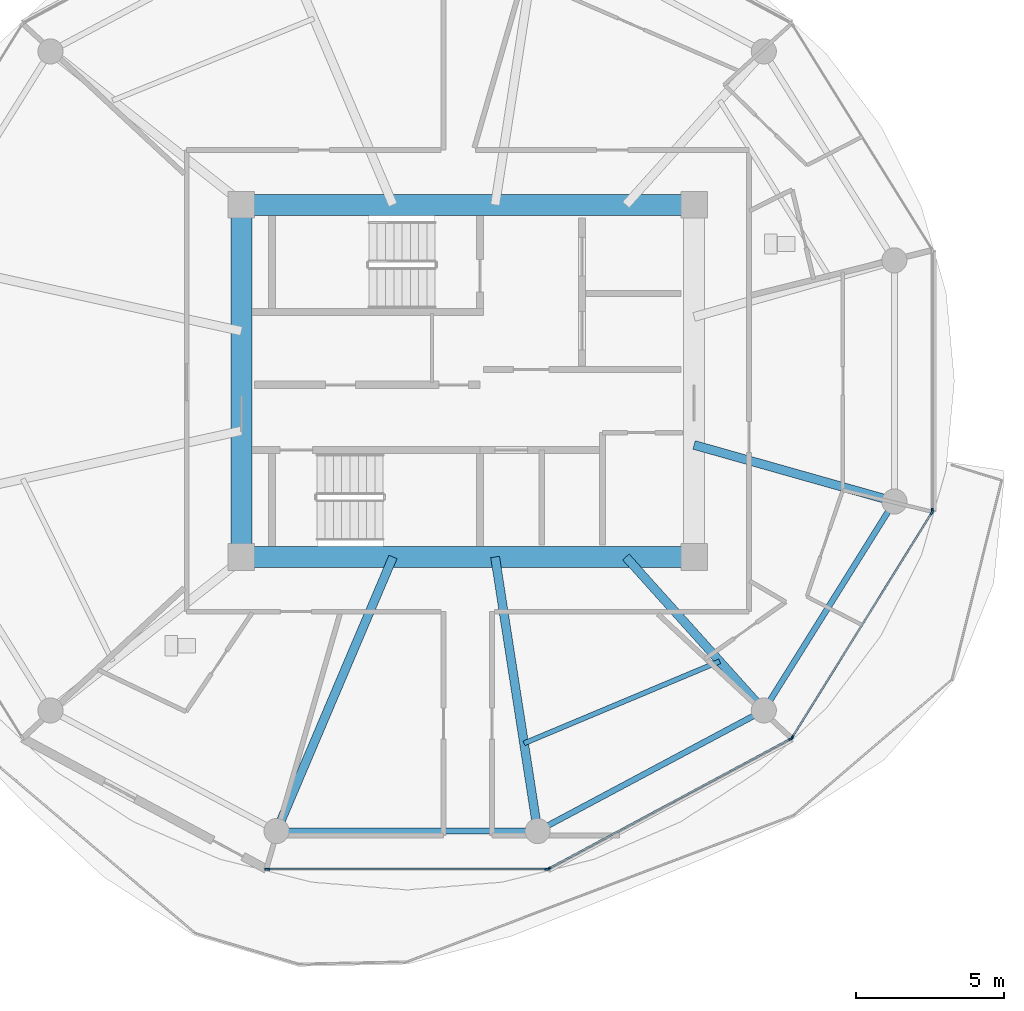
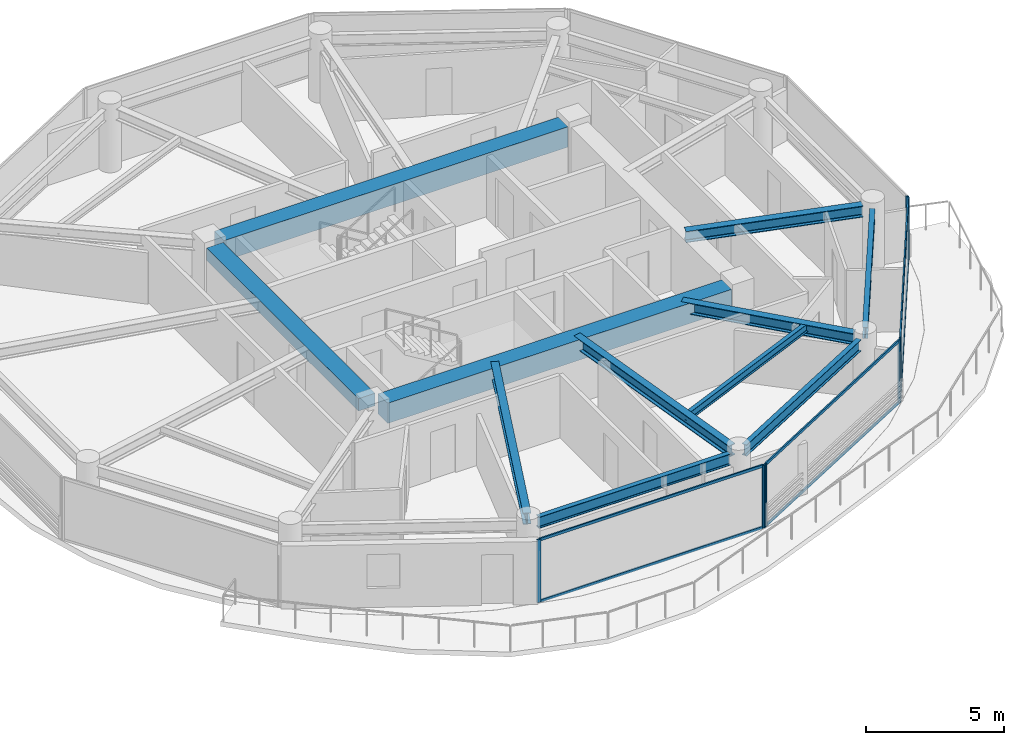
# One storey, part 10 of 25: 13 members, 11 beams, 4 elements without a shape of their own.
"""IFC4 building model written with IfcOpenShell, lengths in metres."""

import ifcopenshell
import ifcopenshell.guid

model = None  # the IFC model being written
_history = None  # IfcOwnerHistory: only IFC2X3 demands one
_inside = {}  # id of a spatial element -> (the spatial element, [elements in it])
_under = {}  # id of a project, library or spatial element -> (it, [spatial elements below it])
_declared = {}  # id of a project -> (the project, [libraries it declares])
_typed = {}  # id of a type object -> (the type object, [elements of that type])
_made_of = {}  # id of a material, layer set ... -> (it, [elements and type objects made of it])


def new_model(schema):
    """Start an empty IFC model of exactly this schema.

    Asked for "IFC4X3", IfcOpenShell would pick the latest addendum, in which some entities
    have other attributes; the version numbers below select the first issue.
    IFC2X3 requires an IfcOwnerHistory on every rooted entity: one is made here for all.
    """
    global model, _history
    if schema == "IFC4X3":
        model = ifcopenshell.file(schema_version=(4, 3, 0, 0))
    else:
        model = ifcopenshell.file(schema=schema)
    _inside.clear()
    _under.clear()
    _declared.clear()
    _typed.clear()
    _made_of.clear()
    _history = None
    if model.schema == "IFC2X3":
        org = make("IfcOrganization", Name="unknown")
        user = make(
            "IfcPersonAndOrganization",
            ThePerson=make("IfcPerson", FamilyName="unknown"),
            TheOrganization=org,
        )
        app = make(
            "IfcApplication",
            ApplicationDeveloper=org,
            Version="unknown",
            ApplicationFullName="unknown",
            ApplicationIdentifier="unknown",
        )
        _history = make(
            "IfcOwnerHistory",
            OwningUser=user,
            OwningApplication=app,
            ChangeAction="ADDED",
            CreationDate=0,
        )
    return model


def make(cls, **values):
    """One entity of the class cls with the attributes given. An attribute that is None is left unset."""
    return model.create_entity(
        cls, **{name: value for name, value in values.items() if value is not None}
    )


def rooted(cls, **values):
    """An entity with a GlobalId (a new one), such as an element, a storey or a relation."""
    return make(cls, GlobalId=ifcopenshell.guid.new(), OwnerHistory=_history, **values)


def si_unit(unit_type, name, prefix=None):
    """IfcSIUnit, for example si_unit("LENGTHUNIT", "METRE", prefix="MILLI")."""
    return make("IfcSIUnit", UnitType=unit_type, Prefix=prefix, Name=name)


def assignment(units):
    """IfcUnitAssignment: the units of a project."""
    return None if units is None else make("IfcUnitAssignment", Units=units)


def point(xyz):
    """IfcCartesianPoint."""
    return None if xyz is None else make("IfcCartesianPoint", Coordinates=xyz)


def direction(xyz):
    """IfcDirection."""
    return None if xyz is None else make("IfcDirection", DirectionRatios=xyz)


def frame(location, z_axis=None, x_axis=None):
    """IfcAxis2Placement3D, a coordinate frame: its origin and axes. An axis left out is left unset."""
    return make(
        "IfcAxis2Placement3D",
        Location=point(location),
        Axis=direction(z_axis),
        RefDirection=direction(x_axis),
    )


def frame_2d(location, x_axis=None):
    """IfcAxis2Placement2D, a coordinate frame in the plane: its origin and x axis."""
    return make(
        "IfcAxis2Placement2D", Location=point(location), RefDirection=direction(x_axis)
    )


def origin():
    """The frame at (0, 0, 0) with its axes left unset."""
    return frame((0.0, 0.0, 0.0))


def origin_2d():
    """The frame at (0, 0) in the plane with its x axis left unset."""
    return frame_2d((0.0, 0.0))


def place(relative_to, where):
    """IfcLocalPlacement: puts the frame where relative to a parent placement (None: the world)."""
    return make(
        "IfcLocalPlacement", PlacementRelTo=relative_to, RelativePlacement=where
    )


def context(
    kind, dimensions, precision=None, world=None, true_north=None, identifier=None
):
    """IfcGeometricRepresentationContext, for example the 3D "Model" context."""
    return make(
        "IfcGeometricRepresentationContext",
        ContextIdentifier=identifier,
        ContextType=kind,
        CoordinateSpaceDimension=dimensions,
        Precision=precision,
        WorldCoordinateSystem=world,
        TrueNorth=true_north,
    )


def subcontext(parent, identifier, kind, view, scale=None):
    """IfcGeometricRepresentationSubContext, for example "Body" below "Model"."""
    return make(
        "IfcGeometricRepresentationSubContext",
        ContextIdentifier=identifier,
        ContextType=kind,
        ParentContext=parent,
        TargetScale=scale,
        TargetView=view,
    )


def project(units=None, contexts=None):
    """IfcProject with its units and contexts."""
    return rooted(
        "IfcProject",
        Name="project",
        RepresentationContexts=contexts,
        UnitsInContext=assignment(units),
    )


def spatial(cls, under=None, at=None, **own):
    """A site, building, storey or space (cls), placed at a placement, below another one or the project."""
    s = rooted(cls, ObjectPlacement=at, **own)
    if under is not None:
        _under.setdefault(under.id(), (under, []))[1].append(s)
    return s


def profile(cls, at=None, kind="AREA", **sizes):
    """A parametric profile (cls). Its sizes go by their IFC names, for example OverallWidth=200.0."""
    return make(cls, ProfileType=kind, Position=at, **sizes)


def rectangle(**sizes):
    """IfcRectangleProfileDef."""
    return profile("IfcRectangleProfileDef", **sizes)


def i_section(**sizes):
    """IfcIShapeProfileDef."""
    return profile("IfcIShapeProfileDef", **sizes)


def extrude(swept, where, along, depth):
    """IfcExtrudedAreaSolid: the profile swept, set in the frame where, extruded along a direction by depth."""
    return make(
        "IfcExtrudedAreaSolid",
        SweptArea=swept,
        Position=where,
        ExtrudedDirection=direction(along),
        Depth=depth,
    )


def shape(context_of_items, identifier, shape_type, items):
    """IfcShapeRepresentation: the items that make up one representation, for example the "Body"."""
    return make(
        "IfcShapeRepresentation",
        ContextOfItems=context_of_items,
        RepresentationIdentifier=identifier,
        RepresentationType=shape_type,
        Items=items,
    )


def source(mapping_origin, context_of_items, identifier, shape_type, items):
    """IfcRepresentationMap: a shape defined once, which mapped items show again and again."""
    return make(
        "IfcRepresentationMap",
        MappingOrigin=mapping_origin,
        MappedRepresentation=shape(context_of_items, identifier, shape_type, items),
    )


def transform(
    local_origin,
    x_axis=None,
    y_axis=None,
    z_axis=None,
    scale=None,
    scale2=None,
    scale3=None,
    uniform=True,
):
    """IfcCartesianTransformationOperator3D, or its non-uniform kind. x_axis, y_axis, z_axis: its Axis1, 2, 3."""
    if uniform:
        return make(
            "IfcCartesianTransformationOperator3D",
            Axis1=direction(x_axis),
            Axis2=direction(y_axis),
            LocalOrigin=point(local_origin),
            Scale=scale,
            Axis3=direction(z_axis),
        )
    return make(
        "IfcCartesianTransformationOperator3DnonUniform",
        Axis1=direction(x_axis),
        Axis2=direction(y_axis),
        LocalOrigin=point(local_origin),
        Scale=scale,
        Axis3=direction(z_axis),
        Scale2=scale2,
        Scale3=scale3,
    )


def mapped(mapping_source, mapping_target):
    """IfcMappedItem: shows the shape of a source again, moved by a transform."""
    return make(
        "IfcMappedItem", MappingSource=mapping_source, MappingTarget=mapping_target
    )


def material(Name=None, Category=None):
    """IfcMaterial."""
    return make("IfcMaterial", Name=Name, Category=Category)


def layer(
    of_material, thickness, ventilated=None, Name=None, Category=None, Priority=None
):
    """IfcMaterialLayer: one layer of a wall or slab, of a material (None: an air gap)."""
    return make(
        "IfcMaterialLayer",
        Material=of_material,
        LayerThickness=thickness,
        IsVentilated=ventilated,
        Name=Name,
        Category=Category,
        Priority=Priority,
    )


def layer_set(layers, Name=None):
    """IfcMaterialLayerSet."""
    return make("IfcMaterialLayerSet", MaterialLayers=layers, LayerSetName=Name)


def material_profile(
    of_material, cross_section, Name=None, Category=None, Priority=None
):
    """IfcMaterialProfile: a cross section and its material."""
    return make(
        "IfcMaterialProfile",
        Name=Name,
        Material=of_material,
        Profile=cross_section,
        Priority=Priority,
        Category=Category,
    )


def profile_set(profiles, Name=None, composite=None):
    """IfcMaterialProfileSet."""
    return make(
        "IfcMaterialProfileSet",
        Name=Name,
        MaterialProfiles=profiles,
        CompositeProfile=composite,
    )


def made_of(thing, what):
    """Note that an element or type object is made of a material, layer set ...; save() writes the relation."""
    if what is not None:
        _made_of.setdefault(what.id(), (what, []))[1].append(thing)
    return thing


def type_object(cls, material=None, **own):
    """A type object (cls), such as IfcWallType, which elements share."""
    return made_of(rooted(cls, **own), material)


def type_shapes(of_type, sources):
    """Give a type object the sources (RepresentationMaps) that its elements show as mapped items."""
    of_type.RepresentationMaps = sources


def element(
    cls,
    number,
    at=None,
    inside=None,
    cuts=None,
    type_object=None,
    material=None,
    context=None,
    identifier="Body",
    shape_type=None,
    held_by="IfcProductDefinitionShape",
    body=None,
    shapes=None,
    **own,
):
    """One element of the class cls, such as IfcWall. Its Tag is "e" and its number.

    at: its placement. inside: the storey or other place that contains it. cuts: it is an
    opening in that element (IfcRelVoidsElement). A single representation is given by context,
    identifier, shape_type and body (its items); several are given by shapes. held_by: the class
    of the entity that holds the representations. save() writes the other relations.
    """
    e = rooted(cls, Tag="e%d" % number, ObjectPlacement=at, **own)
    if body is not None:
        shapes = [shape(context, identifier, shape_type, body)]
    if shapes is not None:
        e.Representation = make(held_by, Representations=shapes)
    if inside is not None:
        _inside.setdefault(inside.id(), (inside, []))[1].append(e)
    if cuts is not None:
        rooted(
            "IfcRelVoidsElement", RelatingBuildingElement=cuts, RelatedOpeningElement=e
        )
    if type_object is not None:
        _typed.setdefault(type_object.id(), (type_object, []))[1].append(e)
    return made_of(e, material)


def aggregate(whole, parts):
    """IfcRelAggregates: a whole, such as a stair, and the parts it consists of."""
    return rooted("IfcRelAggregates", RelatingObject=whole, RelatedObjects=parts)


def save(model, path):
    """Write the relations noted so far, then the file.

    IfcRelAggregates (storeys below a building ...), IfcRelContainedInSpatialStructure (elements
    in a storey), IfcRelDefinesByType, IfcRelAssociatesMaterial and IfcRelDeclares: one each for
    every whole, place, type object, material and project.
    """
    for whole, parts in _under.values():
        aggregate(whole, parts)
    for where, things in _inside.values():
        rooted(
            "IfcRelContainedInSpatialStructure",
            RelatedElements=things,
            RelatingStructure=where,
        )
    for kind, things in _typed.values():
        rooted("IfcRelDefinesByType", RelatedObjects=things, RelatingType=kind)
    for what, things in _made_of.values():
        rooted("IfcRelAssociatesMaterial", RelatedObjects=things, RelatingMaterial=what)
    for by, libraries in _declared.values():
        rooted("IfcRelDeclares", RelatingContext=by, RelatedDefinitions=libraries)
    model.write(path)


model = new_model("IFC4")

# Units and contexts
model_context = context("Model", 3, precision=1e-05, world=origin(), true_north=direction((0.0, 1.0)))
body_context = subcontext(model_context, "Body", "Model", "MODEL_VIEW")
ifc_project = project(units=[si_unit("LENGTHUNIT", "METRE"), si_unit("AREAUNIT", "SQUARE_METRE"), si_unit("VOLUMEUNIT", "CUBIC_METRE"), si_unit("PLANEANGLEUNIT", "RADIAN"), si_unit("MASSUNIT", "GRAM", prefix="KILO")], contexts=[model_context])

# Site, building, storey
site_placement = place(None, origin())
site = spatial("IfcSite", under=ifc_project, at=site_placement, CompositionType="ELEMENT")
building_placement = place(site_placement, origin())
building = spatial("IfcBuilding", under=site, at=building_placement, Name="Norrkilde Senior Care Towers", CompositionType="ELEMENT")
storey_placement = place(building_placement, frame((0.0, 0.0, 84.050048828125)))
storey = spatial("IfcBuildingStorey", under=building, at=storey_placement, Name="L25", CompositionType="ELEMENT", Elevation=84.050048828125)

# Beams
ifc_material_1 = material(Name="Concrete C60/75", Category="concrete")
ifc_material_profile_1 = material_profile(ifc_material_1, rectangle(XDim=0.699951171875, YDim=0.89990234375, at=origin_2d()), Name="RC BM 700x900")
ifc_profile_set_1 = profile_set([ifc_material_profile_1], Name="Concrete C60/75")
beam_type_1 = type_object("IfcBeamType", Name="Core Coupling Girder 700x900", PredefinedType="USERDEFINED", material=ifc_profile_set_1)
shared_shape_1 = source(origin(), body_context, "Body", "SweptSolid", [
    extrude(rectangle(XDim=0.699951171875, YDim=0.89990234375, at=origin_2d()), origin(), (0.0, 0.0, 1.0), 14.43994140625),
])
type_shapes(beam_type_1, [shared_shape_1])
for number, where, z_axis, x_axis, name in (
    (1, (20.780029296875, 5.949951171875, 2.33984375), (1.0, 0.0, 0.0), (0.0, 1.0, 0.0), "L25 Core E N Coupling Girder"),
    (2, (20.780029296875, -5.949951171875, 2.33984375), (1.0, 0.0, 0.0), (0.0, 1.0, 0.0), "L25 Core E S Coupling Girder"),
):
    element("IfcBeam", number, at=place(storey_placement, frame(where, z_axis=z_axis, x_axis=x_axis)), inside=storey, type_object=beam_type_1, Name=name, ObjectType="GIRDER", PredefinedType="USERDEFINED", context=body_context, shape_type="MappedRepresentation", body=[
        mapped(shared_shape_1, transform((0.0, 0.0, 0.0), x_axis=(1.0, 0.0, 0.0), y_axis=(0.0, 1.0, 0.0), z_axis=(0.0, 0.0, 1.0), scale=1.0)),
    ])
ifc_material_profile_2 = material_profile(ifc_material_1, rectangle(XDim=0.699951171875, YDim=0.550048828125, at=origin_2d()), Name="RC BM 700x550")
ifc_profile_set_2 = profile_set([ifc_material_profile_2], Name="Concrete C60/75")
beam_type_2 = type_object("IfcBeamType", Name="Core Portal Coupling Beam 700x550", PredefinedType="USERDEFINED", material=ifc_profile_set_2)
shared_shape_2 = source(origin(), body_context, "Body", "SweptSolid", [
    extrude(rectangle(XDim=0.699951171875, YDim=0.550048828125, at=origin_2d()), origin(), (0.0, 0.0, 1.0), 11.0400390625),
])
type_shapes(beam_type_2, [shared_shape_2])
beam_1_placement = place(storey_placement, frame((20.35009765625, -5.52001953125, 2.514892578125), z_axis=(0.0, 1.0, 0.0), x_axis=(-1.0, 0.0, 0.0)))
element("IfcBeam", 3, at=beam_1_placement, inside=storey, type_object=beam_type_2, Name="L25 Core E W Coupling Girder", ObjectType="GIRDER", PredefinedType="USERDEFINED", context=body_context, shape_type="MappedRepresentation", body=[
    mapped(shared_shape_2, transform((0.0, 0.0, 0.0), x_axis=(1.0, 0.0, 0.0), y_axis=(0.0, 1.0, 0.0), z_axis=(0.0, 0.0, 1.0), scale=1.0)),
])
ifc_material_2 = material(Name="Steel S355", Category="steel")
ifc_material_profile_3 = material_profile(ifc_material_2, i_section(OverallWidth=0.199951171875, OverallDepth=0.5, WebThickness=0.01025390625, FlangeThickness=0.01611328125, FilletRadius=0.02099609375, at=origin_2d()), Name="IPE 500")
ifc_profile_set_3 = profile_set([ifc_material_profile_3], Name="Steel S355")
beam_type_3 = type_object("IfcBeamType", Name="Perimeter Ring Spandrel Z2 IPE500", PredefinedType="SPANDREL", material=ifc_profile_set_3)
shared_shape_3 = source(origin(), body_context, "Body", "SweptSolid", [
    extrude(i_section(OverallWidth=0.199951171875, OverallDepth=0.5, WebThickness=0.01025390625, FlangeThickness=0.01611328125, FilletRadius=0.02099609375, at=origin_2d()), origin(), (0.0, 0.0, 1.0), 7.892333984375),
])
beam_2_placement = place(storey_placement, frame((30.70263671875, -15.0322265625, 2.5400390625), z_axis=(0.882350372282, 0.47059305194, 0.0), x_axis=(-0.47059305194, 0.882350372282, 0.0)))
element("IfcBeam", 4, at=beam_2_placement, inside=storey, type_object=beam_type_3, Name="L25 Drum E Perimeter Spandrel 10", PredefinedType="SPANDREL", context=body_context, shape_type="MappedRepresentation", body=[
    mapped(shared_shape_3, transform((0.0, 0.0, 0.0), x_axis=(1.0, 0.0, 0.0), y_axis=(0.0, 1.0, 0.0), z_axis=(0.0, 0.0, 1.0), scale=1.0)),
])
shared_shape_4 = source(origin(), body_context, "Body", "SweptSolid", [
    extrude(i_section(OverallWidth=0.199951171875, OverallDepth=0.5, WebThickness=0.01025390625, FlangeThickness=0.01611328125, FilletRadius=0.02099609375, at=origin_2d()), origin(), (0.0, 0.0, 1.0), 8.0556640625),
])
beam_3_placement = place(storey_placement, frame((21.922119140625, -15.21337890625, 2.5400390625), z_axis=(1.0, 0.0, 0.0), x_axis=(0.0, 1.0, 0.0)))
element("IfcBeam", 5, at=beam_3_placement, inside=storey, type_object=beam_type_3, Name="L25 Drum E Perimeter Spandrel 09", PredefinedType="SPANDREL", context=body_context, shape_type="MappedRepresentation", body=[
    mapped(shared_shape_4, transform((0.0, 0.0, 0.0), x_axis=(1.0, 0.0, 0.0), y_axis=(0.0, 1.0, 0.0), z_axis=(0.0, 0.0, 1.0), scale=1.0)),
])
ifc_material_profile_4 = material_profile(ifc_material_2, i_section(OverallWidth=0.300048828125, OverallDepth=0.5, WebThickness=0.014404296875, FlangeThickness=0.028076171875, FilletRadius=0.027099609375, at=origin_2d()), Name="HEB 500")
ifc_profile_set_4 = profile_set([ifc_material_profile_4], Name="Steel S355")
beam_type_4 = type_object("IfcBeamType", Name="Radial Floor Beam Z2 HEB500", PredefinedType="BEAM", material=ifc_profile_set_4)
shared_shape_5 = source(origin(), body_context, "Body", "SweptSolid", [
    extrude(i_section(OverallWidth=0.300048828125, OverallDepth=0.5, WebThickness=0.014404296875, FlangeThickness=0.028076171875, FilletRadius=0.027099609375, at=origin_2d()), origin(), (0.0, 0.0, 1.0), 9.679443359375),
])
beam_4_placement = place(storey_placement, frame((25.472412109375, -5.949951171875, 2.5400390625), z_axis=(-0.390998033479, -0.920391513333, 0.0), x_axis=(0.920391513333, -0.390998033479, 0.0)))
element("IfcBeam", 6, at=beam_4_placement, inside=storey, type_object=beam_type_4, Name="L25 Drum E Radial Floor Beam 09", PredefinedType="BEAM", context=body_context, shape_type="MappedRepresentation", body=[
    mapped(shared_shape_5, transform((0.0, 0.0, 0.0), x_axis=(1.0, 0.0, 0.0), y_axis=(0.0, 1.0, 0.0), z_axis=(0.0, 0.0, 1.0), scale=1.0)),
])
shared_shape_6 = source(origin(), body_context, "Body", "SweptSolid", [
    extrude(i_section(OverallWidth=0.300048828125, OverallDepth=0.5, WebThickness=0.014404296875, FlangeThickness=0.028076171875, FilletRadius=0.027099609375, at=origin_2d()), origin(), (0.0, 0.0, 1.0), 8.989501953125),
])
beam_5_placement = place(storey_placement, frame((28.924072265625, -5.949951171875, 2.5400390625), z_axis=(0.153471298636, -0.988153105796, 0.0), x_axis=(0.988153105796, 0.153471298636, 0.0)))
element("IfcBeam", 7, at=beam_5_placement, inside=storey, type_object=beam_type_4, Name="L25 Drum E Radial Floor Beam 10", PredefinedType="BEAM", context=body_context, shape_type="MappedRepresentation", body=[
    mapped(shared_shape_6, transform((0.0, 0.0, 0.0), x_axis=(1.0, 0.0, 0.0), y_axis=(0.0, 1.0, 0.0), z_axis=(0.0, 0.0, 1.0), scale=1.0)),
])
shared_shape_7 = source(origin(), body_context, "Body", "SweptSolid", [
    extrude(i_section(OverallWidth=0.199951171875, OverallDepth=0.5, WebThickness=0.01025390625, FlangeThickness=0.01611328125, FilletRadius=0.02099609375, at=origin_2d()), origin(), (0.0, 0.0, 1.0), 7.556396484375),
])
type_shapes(beam_type_3, [shared_shape_3, shared_shape_4, shared_shape_7])
beam_6_placement = place(storey_placement, frame((38.210205078125, -10.810546875, 2.5400390625), z_axis=(0.530004748437, 0.847994673706, 0.0), x_axis=(-0.847994673706, 0.530004748437, 0.0)))
element("IfcBeam", 8, at=beam_6_placement, inside=storey, type_object=beam_type_3, Name="L25 Drum E Perimeter Spandrel 11", PredefinedType="SPANDREL", context=body_context, shape_type="MappedRepresentation", body=[
    mapped(shared_shape_7, transform((0.0, 0.0, 0.0), x_axis=(1.0, 0.0, 0.0), y_axis=(0.0, 1.0, 0.0), z_axis=(0.0, 0.0, 1.0), scale=1.0)),
])
shared_shape_8 = source(origin(), body_context, "Body", "SweptSolid", [
    extrude(i_section(OverallWidth=0.300048828125, OverallDepth=0.5, WebThickness=0.014404296875, FlangeThickness=0.028076171875, FilletRadius=0.027099609375, at=origin_2d()), origin(), (0.0, 0.0, 1.0), 6.587890625),
])
beam_7_placement = place(storey_placement, frame((33.345947265625, -5.949951171875, 2.5400390625), z_axis=(0.668315438605, -0.743877997068, 0.0), x_axis=(0.743877997068, 0.668315438605, 0.0)))
element("IfcBeam", 9, at=beam_7_placement, inside=storey, type_object=beam_type_4, Name="L25 Drum E Radial Floor Beam 11", PredefinedType="BEAM", context=body_context, shape_type="MappedRepresentation", body=[
    mapped(shared_shape_8, transform((0.0, 0.0, 0.0), x_axis=(1.0, 0.0, 0.0), y_axis=(0.0, 1.0, 0.0), z_axis=(0.0, 0.0, 1.0), scale=1.0)),
])
shared_shape_9 = source(origin(), body_context, "Body", "SweptSolid", [
    extrude(i_section(OverallWidth=0.300048828125, OverallDepth=0.5, WebThickness=0.014404296875, FlangeThickness=0.028076171875, FilletRadius=0.027099609375, at=origin_2d()), origin(), (0.0, 0.0, 1.0), 6.6494140625),
])
type_shapes(beam_type_4, [shared_shape_5, shared_shape_6, shared_shape_8, shared_shape_9])
beam_8_placement = place(storey_placement, frame((35.64990234375, -2.162841796875, 2.5400390625), z_axis=(0.962289138357, -0.27202870106, 0.0), x_axis=(0.27202870106, 0.962289138357, 0.0)))
element("IfcBeam", 10, at=beam_8_placement, inside=storey, type_object=beam_type_4, Name="L25 Drum E Radial Floor Beam 12", PredefinedType="BEAM", context=body_context, shape_type="MappedRepresentation", body=[
    mapped(shared_shape_9, transform((0.0, 0.0, 0.0), x_axis=(1.0, 0.0, 0.0), y_axis=(0.0, 1.0, 0.0), z_axis=(0.0, 0.0, 1.0), scale=1.0)),
])
ifc_material_profile_5 = material_profile(ifc_material_2, i_section(OverallWidth=0.169921875, OverallDepth=0.360107421875, WebThickness=0.008056640625, FlangeThickness=0.0126953125, FilletRadius=0.01806640625, at=origin_2d()), Name="IPE 360")
ifc_profile_set_5 = profile_set([ifc_material_profile_5], Name="Steel S355")
beam_type_5 = type_object("IfcBeamType", Name="Secondary Floor Joist IPE360", PredefinedType="JOIST", material=ifc_profile_set_5)
shared_shape_10 = source(origin(), body_context, "Body", "SweptSolid", [
    extrude(i_section(OverallWidth=0.169921875, OverallDepth=0.360107421875, WebThickness=0.008056640625, FlangeThickness=0.0126953125, FilletRadius=0.01806640625, at=origin_2d()), origin(), (0.0, 0.0, 1.0), 7.169921875),
])
type_shapes(beam_type_5, [shared_shape_10])
beam_9_placement = place(storey_placement, frame((29.902587890625, -12.2490234375, 2.60986328125), z_axis=(0.922240600393, 0.386616444279, 0.0), x_axis=(-0.386616444279, 0.922240600393, 0.0)))
element("IfcBeam", 11, at=beam_9_placement, inside=storey, type_object=beam_type_5, Name="L25 Drum E Secondary Floor Joist 4", PredefinedType="JOIST", context=body_context, shape_type="MappedRepresentation", body=[
    mapped(shared_shape_10, transform((0.0, 0.0, 0.0), x_axis=(1.0, 0.0, 0.0), y_axis=(0.0, 1.0, 0.0), z_axis=(0.0, 0.0, 1.0), scale=1.0)),
])

# Curtain wall, members
ifc_material_3 = material(Name="Triple Low-E Insulated Glazing", Category="glass")
ifc_layer = layer(ifc_material_3, 0.195068359375)
ifc_layer_set = layer_set([ifc_layer], Name="Triple Low-E Insulated Glazing")
curtain_wall_type = type_object("IfcCurtainWallType", Name="CW3 Zone 2 Assisted Living Curtain Wall", PredefinedType="NOTDEFINED", material=ifc_layer_set)
curtain_wall_1_placement = place(storey_placement, origin())
curtain_wall_1 = element("IfcCurtainWall", 12, at=curtain_wall_1_placement, inside=storey, type_object=curtain_wall_type, Name="L25 Drum E Curtain Wall 08", PredefinedType="NOTDEFINED")
ifc_material_4 = material(Name="Anodised Aluminium", Category="aluminium")
ifc_material_profile_6 = material_profile(ifc_material_4, rectangle(XDim=0.06494140625, YDim=0.159912109375, at=origin_2d()), Name="ALU MULL 65x160")
ifc_profile_set_6 = profile_set([ifc_material_profile_6], Name="Anodised Aluminium")
member_type_1 = type_object("IfcMemberType", Name="Curtain Wall Mullion Z1-Z2 65x160", PredefinedType="MULLION", material=ifc_profile_set_6)
shared_shape_11 = source(origin(), body_context, "Body", "SweptSolid", [
    extrude(rectangle(XDim=0.06494140625, YDim=0.159912109375, at=origin_2d()), origin(), (0.0, 0.0, 1.0), 2.7900390625),
])
type_shapes(member_type_1, [shared_shape_11])
member_1_placement = place(storey_placement, frame((30.674560546875, -16.498046875, 0.0), z_axis=(0.0, 0.0, 1.0), x_axis=(0.0, -1.0, 0.0)))
member_1 = element("IfcMember", 13, at=member_1_placement, type_object=member_type_1, Name="CW-3 mullion 1", PredefinedType="MULLION", context=body_context, shape_type="MappedRepresentation", body=[
    mapped(shared_shape_11, transform((0.0, 0.0, 0.0), x_axis=(1.0, 0.0, 0.0), y_axis=(0.0, 1.0, 0.0), z_axis=(0.0, 0.0, 1.0), scale=1.0)),
])
member_2_placement = place(storey_placement, frame((21.225341796875, -16.498046875, 0.0), z_axis=(0.0, 0.0, 1.0), x_axis=(0.0, -1.0, 0.0)))
member_2 = element("IfcMember", 14, at=member_2_placement, type_object=member_type_1, Name="CW-3 mullion 2", PredefinedType="MULLION", context=body_context, shape_type="MappedRepresentation", body=[
    mapped(shared_shape_11, transform((0.0, 0.0, 0.0), x_axis=(1.0, 0.0, 0.0), y_axis=(0.0, 1.0, 0.0), z_axis=(0.0, 0.0, 1.0), scale=1.0)),
])

curtain_wall_2_placement = place(storey_placement, origin())
curtain_wall_2 = element("IfcCurtainWall", 15, at=curtain_wall_2_placement, inside=storey, type_object=curtain_wall_type, Name="L25 Drum E Curtain Wall 09", PredefinedType="NOTDEFINED")
member_3_placement = place(storey_placement, frame((38.91796875, -12.0927734375, 0.0), z_axis=(0.0, 0.0, 1.0), x_axis=(0.472769402511, -0.881186184668, 0.0)))
member_3 = element("IfcMember", 16, at=member_3_placement, type_object=member_type_1, Name="CW-3 mullion 1", PredefinedType="MULLION", context=body_context, shape_type="MappedRepresentation", body=[
    mapped(shared_shape_11, transform((0.0, 0.0, 0.0), x_axis=(1.0, 0.0, 0.0), y_axis=(0.0, 1.0, 0.0), z_axis=(0.0, 0.0, 1.0), scale=1.0)),
])
member_4_placement = place(storey_placement, frame((30.73583984375, -16.482666015625, 0.0), z_axis=(0.0, 0.0, 1.0), x_axis=(0.472769402511, -0.881186184668, 0.0)))
member_4 = element("IfcMember", 17, at=member_4_placement, type_object=member_type_1, Name="CW-3 mullion 2", PredefinedType="MULLION", context=body_context, shape_type="MappedRepresentation", body=[
    mapped(shared_shape_11, transform((0.0, 0.0, 0.0), x_axis=(1.0, 0.0, 0.0), y_axis=(0.0, 1.0, 0.0), z_axis=(0.0, 0.0, 1.0), scale=1.0)),
])

curtain_wall_3_placement = place(storey_placement, origin())
curtain_wall_3 = element("IfcCurtainWall", 18, at=curtain_wall_3_placement, inside=storey, type_object=curtain_wall_type, Name="L25 Drum E Curtain Wall 10", PredefinedType="NOTDEFINED")
member_5_placement = place(storey_placement, frame((43.6865234375, -4.4482421875, 0.0), z_axis=(0.0, 0.0, 1.0), x_axis=(0.849410171862, -0.527733228002, 0.0)))
member_5 = element("IfcMember", 19, at=member_5_placement, type_object=member_type_1, Name="CW-3 mullion 1", PredefinedType="MULLION", context=body_context, shape_type="MappedRepresentation", body=[
    mapped(shared_shape_11, transform((0.0, 0.0, 0.0), x_axis=(1.0, 0.0, 0.0), y_axis=(0.0, 1.0, 0.0), z_axis=(0.0, 0.0, 1.0), scale=1.0)),
])
member_6_placement = place(storey_placement, frame((38.9638671875, -12.0498046875, 0.0), z_axis=(0.0, 0.0, 1.0), x_axis=(0.849410171862, -0.527733228002, 0.0)))
member_6 = element("IfcMember", 20, at=member_6_placement, type_object=member_type_1, Name="CW-3 mullion 2", PredefinedType="MULLION", context=body_context, shape_type="MappedRepresentation", body=[
    mapped(shared_shape_11, transform((0.0, 0.0, 0.0), x_axis=(1.0, 0.0, 0.0), y_axis=(0.0, 1.0, 0.0), z_axis=(0.0, 0.0, 1.0), scale=1.0)),
])

# Curtain wall, member
curtain_wall_4_placement = place(storey_placement, origin())
curtain_wall_4 = element("IfcCurtainWall", 21, at=curtain_wall_4_placement, inside=storey, type_object=curtain_wall_type, Name="L25 Drum E Curtain Wall 11", PredefinedType="NOTDEFINED")
member_7_placement = place(storey_placement, frame((43.70361328125, -4.38818359375, 0.0), z_axis=(0.0, 0.0, 1.0), x_axis=(1.0, 0.0, 0.0)))
member_7 = element("IfcMember", 22, at=member_7_placement, type_object=member_type_1, Name="CW-3 mullion 2", PredefinedType="MULLION", context=body_context, shape_type="MappedRepresentation", body=[
    mapped(shared_shape_11, transform((0.0, 0.0, 0.0), x_axis=(1.0, 0.0, 0.0), y_axis=(0.0, 1.0, 0.0), z_axis=(0.0, 0.0, 1.0), scale=1.0)),
])
aggregate(curtain_wall_4, [member_7])

# Member
ifc_material_profile_7 = material_profile(ifc_material_4, rectangle(XDim=0.06005859375, YDim=0.1201171875, at=origin_2d()), Name="ALU TRAN 60x120")
ifc_profile_set_7 = profile_set([ifc_material_profile_7], Name="Anodised Aluminium")
member_type_2 = type_object("IfcMemberType", Name="Curtain Wall Transom Typical 60x120", PredefinedType="USERDEFINED", material=ifc_profile_set_7)
shared_shape_12 = source(origin(), body_context, "Body", "SweptSolid", [
    extrude(rectangle(XDim=0.06005859375, YDim=0.1201171875, at=origin_2d()), origin(), (0.0, 0.0, 1.0), 8.88427734375),
])
member_8_placement = place(storey_placement, frame((43.66943359375, -4.475830078125, 0.030029296875), z_axis=(-0.527729466743, -0.849412508697, 0.0), x_axis=(0.849412508697, -0.527729466743, 0.0)))
member_8 = element("IfcMember", 23, at=member_8_placement, type_object=member_type_2, Name="CW-3 transom 1.1", ObjectType="TRANSOM", PredefinedType="USERDEFINED", context=body_context, shape_type="MappedRepresentation", body=[
    mapped(shared_shape_12, transform((0.0, 0.0, 0.0), x_axis=(1.0, 0.0, 0.0), y_axis=(0.0, 1.0, 0.0), z_axis=(0.0, 0.0, 1.0), scale=1.0)),
])

member_9_placement = place(storey_placement, frame((43.66943359375, -4.475830078125, 2.760009765625), z_axis=(-0.527729466743, -0.849412508697, 0.0), x_axis=(0.849412508697, -0.527729466743, 0.0)))
member_9 = element("IfcMember", 24, at=member_9_placement, type_object=member_type_2, Name="CW-3 transom 1.2", ObjectType="TRANSOM", PredefinedType="USERDEFINED", context=body_context, shape_type="MappedRepresentation", body=[
    mapped(shared_shape_12, transform((0.0, 0.0, 0.0), x_axis=(1.0, 0.0, 0.0), y_axis=(0.0, 1.0, 0.0), z_axis=(0.0, 0.0, 1.0), scale=1.0)),
])

aggregate(curtain_wall_3, [member_5, member_6, member_8, member_9])

shared_shape_13 = source(origin(), body_context, "Body", "SweptSolid", [
    extrude(rectangle(XDim=0.06005859375, YDim=0.1201171875, at=origin_2d()), origin(), (0.0, 0.0, 1.0), 9.220458984375),
])
member_10_placement = place(storey_placement, frame((38.889404296875, -12.108154296875, 0.030029296875), z_axis=(-0.881188517866, -0.472765053681, 0.0), x_axis=(0.472765053681, -0.881188517866, 0.0)))
member_10 = element("IfcMember", 25, at=member_10_placement, type_object=member_type_2, Name="CW-3 transom 1.1", ObjectType="TRANSOM", PredefinedType="USERDEFINED", context=body_context, shape_type="MappedRepresentation", body=[
    mapped(shared_shape_13, transform((0.0, 0.0, 0.0), x_axis=(1.0, 0.0, 0.0), y_axis=(0.0, 1.0, 0.0), z_axis=(0.0, 0.0, 1.0), scale=1.0)),
])

member_11_placement = place(storey_placement, frame((38.889404296875, -12.108154296875, 2.760009765625), z_axis=(-0.881188517866, -0.472765053681, 0.0), x_axis=(0.472765053681, -0.881188517866, 0.0)))
member_11 = element("IfcMember", 26, at=member_11_placement, type_object=member_type_2, Name="CW-3 transom 1.2", ObjectType="TRANSOM", PredefinedType="USERDEFINED", context=body_context, shape_type="MappedRepresentation", body=[
    mapped(shared_shape_13, transform((0.0, 0.0, 0.0), x_axis=(1.0, 0.0, 0.0), y_axis=(0.0, 1.0, 0.0), z_axis=(0.0, 0.0, 1.0), scale=1.0)),
])

aggregate(curtain_wall_2, [member_3, member_4, member_10, member_11])

shared_shape_14 = source(origin(), body_context, "Body", "SweptSolid", [
    extrude(rectangle(XDim=0.06005859375, YDim=0.1201171875, at=origin_2d()), origin(), (0.0, 0.0, 1.0), 9.38427734375),
])
type_shapes(member_type_2, [shared_shape_12, shared_shape_13, shared_shape_14])
member_12_placement = place(storey_placement, frame((30.64208984375, -16.498046875, 0.030029296875), z_axis=(-1.0, 0.0, 0.0), x_axis=(0.0, -1.0, 0.0)))
member_12 = element("IfcMember", 27, at=member_12_placement, type_object=member_type_2, Name="CW-3 transom 1.1", ObjectType="TRANSOM", PredefinedType="USERDEFINED", context=body_context, shape_type="MappedRepresentation", body=[
    mapped(shared_shape_14, transform((0.0, 0.0, 0.0), x_axis=(1.0, 0.0, 0.0), y_axis=(0.0, 1.0, 0.0), z_axis=(0.0, 0.0, 1.0), scale=1.0)),
])

member_13_placement = place(storey_placement, frame((30.64208984375, -16.498046875, 2.760009765625), z_axis=(-1.0, 0.0, 0.0), x_axis=(0.0, -1.0, 0.0)))
member_13 = element("IfcMember", 28, at=member_13_placement, type_object=member_type_2, Name="CW-3 transom 1.2", ObjectType="TRANSOM", PredefinedType="USERDEFINED", context=body_context, shape_type="MappedRepresentation", body=[
    mapped(shared_shape_14, transform((0.0, 0.0, 0.0), x_axis=(1.0, 0.0, 0.0), y_axis=(0.0, 1.0, 0.0), z_axis=(0.0, 0.0, 1.0), scale=1.0)),
])

aggregate(curtain_wall_1, [member_1, member_2, member_12, member_13])

save(model, "model.ifc")
